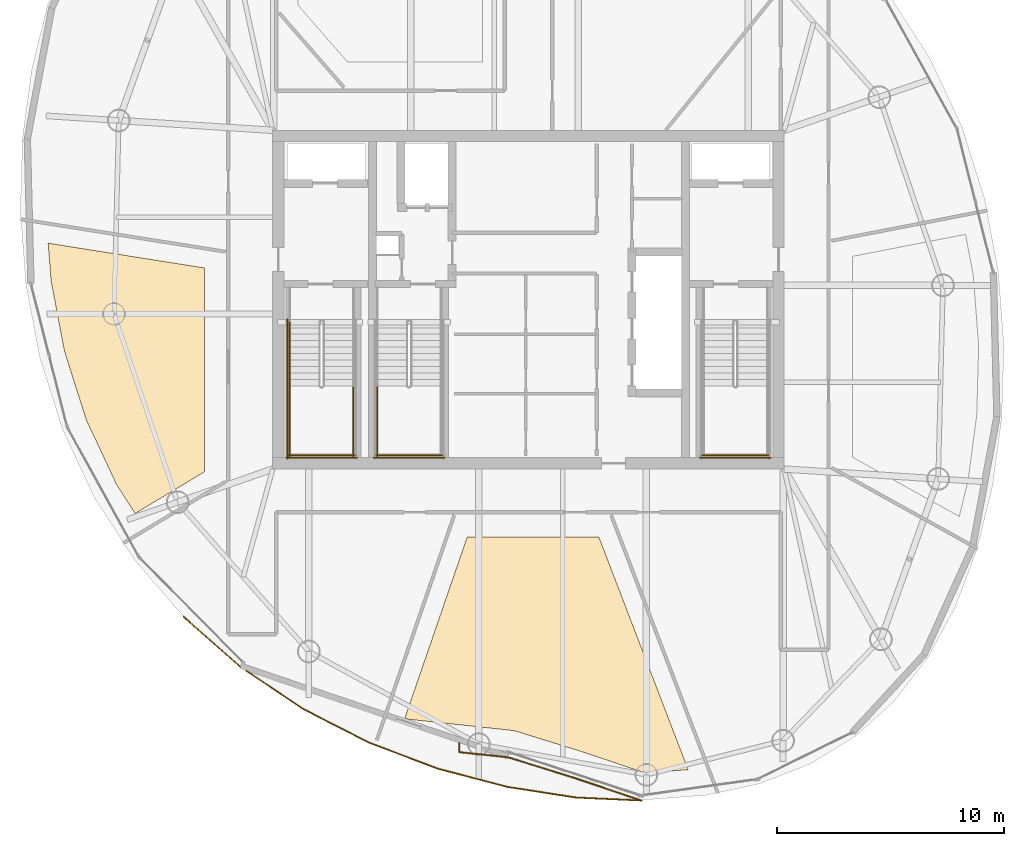
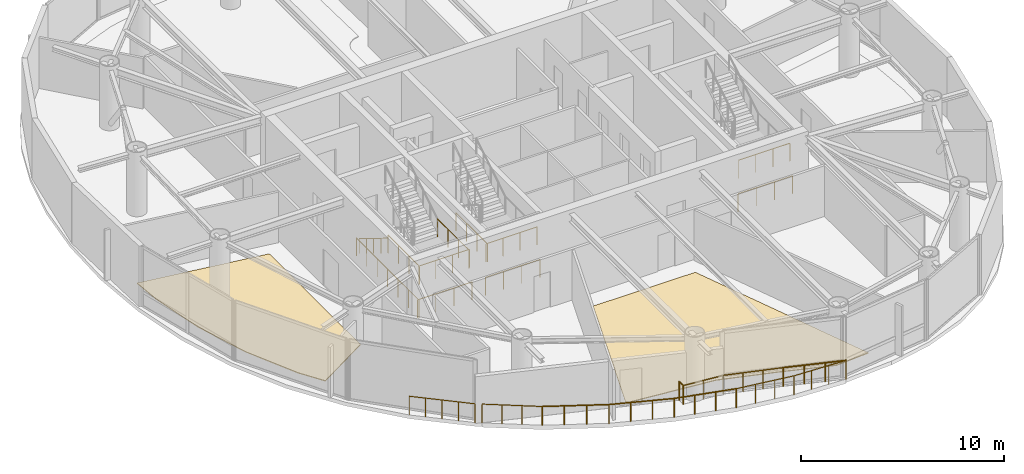
# One storey, part 18 of 20: 22 railings, 2 coverings.
"""IFC4 building model written with IfcOpenShell, lengths in metres."""

from ifc_helpers import new_model, si_unit, direction, frame, origin, origin_2d, place, context, subcontext, project, spatial, polyline, circle, outline, extrude, material, layer, layer_set, type_object, element, save


model = new_model("IFC4")

# Units and contexts
model_context = context("Model", 3, precision=1e-05, world=origin(), true_north=direction((0.0, 1.0)))
body_context = subcontext(model_context, "Body", "Model", "MODEL_VIEW")
ifc_project = project(units=[si_unit("LENGTHUNIT", "METRE"), si_unit("AREAUNIT", "SQUARE_METRE"), si_unit("VOLUMEUNIT", "CUBIC_METRE"), si_unit("PLANEANGLEUNIT", "RADIAN"), si_unit("MASSUNIT", "GRAM", prefix="KILO")], contexts=[model_context])

# Site, building, storey
site_placement = place(None, origin())
site = spatial("IfcSite", under=ifc_project, at=site_placement, CompositionType="ELEMENT")
building_placement = place(site_placement, origin())
building = spatial("IfcBuilding", under=site, at=building_placement, Name="Bramvorn Convention Spire", CompositionType="ELEMENT")
storey_placement = place(building_placement, frame((0.0, 0.0, 245.89990234375)))
storey = spatial("IfcBuildingStorey", under=building, at=storey_placement, Name="L62", CompositionType="ELEMENT", Elevation=245.89990234375)

# Coverings
ifc_material_1 = material(Name="Calcium-Sulphate Raised Access Office Floor", Category="steel")
ifc_layer = layer(ifc_material_1, 0.044921875)
ifc_layer_set = layer_set([ifc_layer], Name="Calcium-Sulphate Raised Access Office Floor - FLR-RAISED-45")
covering_type = type_object("IfcCoveringType", Name="FLR-RAISED-45", PredefinedType="FLOORING", material=ifc_layer_set)
covering_1_placement = place(storey_placement, origin())
element("IfcCovering", 1, at=covering_1_placement, inside=storey, type_object=covering_type, Name="L62 Open-Plan Team Office 6 raised floor finish", PredefinedType="FLOORING", context=body_context, shape_type="SweptSolid", body=[
    extrude(outline(polyline([(19.87890625, 17.862060546875), (20.6962890625, 16.594482421875), (23.75, 18.429443359375), (23.75, 27.396484375), (16.869140625, 28.486083984375), (16.995849609375, 26.83984375), (17.58544921875, 23.737060546875), (18.5439453125, 20.72119140625), (19.87890625, 17.862060546875)])), origin(), (0.0, 0.0, 1.0), 0.045166015625),
])
covering_2_placement = place(storey_placement, origin())
element("IfcCovering", 2, at=covering_2_placement, inside=storey, type_object=covering_type, Name="L62 Records Store 8 raised floor finish", PredefinedType="FLOORING", context=body_context, shape_type="SweptSolid", body=[
    extrude(outline(polyline([(41.100830078125, 15.550048828125), (35.30078125, 15.550048828125), (32.549560546875, 7.56005859375), (37.3798828125, 7.037109375), (40.35009765625, 6.115478515625), (43.127685546875, 5.179931640625), (45.02734375, 5.321044921875), (41.100830078125, 15.550048828125)])), origin(), (0.0, 0.0, 1.0), 0.045166015625),
])

# Railings
ifc_material_2 = material(Name="Painted Steel Balustrade & Guardrail", Category="steel")
railing_type_1 = type_object("IfcRailingType", Name="RL-STAIR-GUARD-1100", PredefinedType="GUARDRAIL", material=ifc_material_2)
for number, where, name in (
    (3, (27.5, 22.199951171875, 1.925048828125), "L62 ST1 stair guard 3"),
    (4, (30.300048828125, 22.199951171875, 1.925048828125), "L62 ST1 stair guard 4"),
):
    element("IfcRailing", number, at=place(storey_placement, frame(where)), inside=storey, type_object=railing_type_1, Name=name, PredefinedType="GUARDRAIL", context=body_context, shape_type="SweptSolid", body=[
        extrude(circle(Radius=0.02392578125, at=origin_2d()), frame((0.0, 0.0, 1.076171875), z_axis=(0.0, -1.0, 0.0), x_axis=(1.0, 0.0, 0.0)), (0.0, 0.0, 1.0), 3.099853515625),
        extrude(circle(Radius=0.02099609375, at=origin_2d()), origin(), (0.0, 0.0, 1.0), 1.052001953125),
        extrude(circle(Radius=0.02099609375, at=origin_2d()), frame((0.0, -1.033203125, 0.0)), (0.0, 0.0, 1.0), 1.052001953125),
        extrude(circle(Radius=0.02099609375, at=origin_2d()), frame((0.0, -2.066650390625, 0.0)), (0.0, 0.0, 1.0), 1.052001953125),
        extrude(circle(Radius=0.02099609375, at=origin_2d()), frame((0.0, -3.099853515625, 0.0)), (0.0, 0.0, 1.0), 1.052001953125),
    ])
railing_1_placement = place(storey_placement, frame((27.449951171875, 19.14990234375, 1.925048828125)))
element("IfcRailing", 5, at=railing_1_placement, inside=storey, type_object=railing_type_1, Name="L62 ST1 stair guard 5", PredefinedType="GUARDRAIL", context=body_context, shape_type="SweptSolid", body=[
    extrude(circle(Radius=0.02392578125, at=origin_2d()), frame((0.0, 0.0, 1.076171875), z_axis=(1.0, 0.0, 0.0), x_axis=(0.0, 1.0, 0.0)), (0.0, 0.0, 1.0), 2.900146484375),
    extrude(circle(Radius=0.02099609375, at=origin_2d()), origin(), (0.0, 0.0, 1.0), 1.052001953125),
    extrude(circle(Radius=0.02099609375, at=origin_2d()), frame((0.966796875, 0.0, 0.0)), (0.0, 0.0, 1.0), 1.052001953125),
    extrude(circle(Radius=0.02099609375, at=origin_2d()), frame((1.933349609375, 0.0, 0.0)), (0.0, 0.0, 1.0), 1.052001953125),
    extrude(circle(Radius=0.02099609375, at=origin_2d()), frame((2.900146484375, 0.0, 0.0)), (0.0, 0.0, 1.0), 1.052001953125),
])
railing_2_placement = place(storey_placement, frame((27.39990234375, 25.14990234375, 0.0)))
element("IfcRailing", 6, at=railing_2_placement, inside=storey, type_object=railing_type_1, Name="L62 ST1 stair guard 10", PredefinedType="GUARDRAIL", context=body_context, shape_type="SweptSolid", body=[
    extrude(circle(Radius=0.02392578125, at=origin_2d()), frame((0.0, 0.0, 1.076171875), z_axis=(0.0, -1.0, 0.0), x_axis=(1.0, 0.0, 0.0)), (0.0, 0.0, 1.0), 6.14990234375),
    extrude(circle(Radius=0.02099609375, at=origin_2d()), origin(), (0.0, 0.0, 1.0), 1.052001953125),
    extrude(circle(Radius=0.02099609375, at=origin_2d()), frame((0.0, -1.02490234375, 0.0)), (0.0, 0.0, 1.0), 1.052001953125),
    extrude(circle(Radius=0.02099609375, at=origin_2d()), frame((0.0, -2.050048828125, 0.0)), (0.0, 0.0, 1.0), 1.052001953125),
    extrude(circle(Radius=0.02099609375, at=origin_2d()), frame((0.0, -3.074951171875, 0.0)), (0.0, 0.0, 1.0), 1.052001953125),
    extrude(circle(Radius=0.02099609375, at=origin_2d()), frame((0.0, -4.099853515625, 0.0)), (0.0, 0.0, 1.0), 1.052001953125),
    extrude(circle(Radius=0.02099609375, at=origin_2d()), frame((0.0, -5.125, 0.0)), (0.0, 0.0, 1.0), 1.052001953125),
    extrude(circle(Radius=0.02099609375, at=origin_2d()), frame((0.0, -6.14990234375, 0.0)), (0.0, 0.0, 1.0), 1.052001953125),
])
railing_3_placement = place(storey_placement, frame((27.35009765625, 19.050048828125, 0.0)))
element("IfcRailing", 7, at=railing_3_placement, inside=storey, type_object=railing_type_1, Name="L62 ST1 stair guard 12", PredefinedType="GUARDRAIL", context=body_context, shape_type="SweptSolid", body=[
    extrude(circle(Radius=0.02392578125, at=origin_2d()), frame((0.0, 0.0, 1.076171875), z_axis=(1.0, 0.0, 0.0), x_axis=(0.0, 1.0, 0.0)), (0.0, 0.0, 1.0), 3.099853515625),
    extrude(circle(Radius=0.02099609375, at=origin_2d()), origin(), (0.0, 0.0, 1.0), 1.052001953125),
    extrude(circle(Radius=0.02099609375, at=origin_2d()), frame((1.033203125, 0.0, 0.0)), (0.0, 0.0, 1.0), 1.052001953125),
    extrude(circle(Radius=0.02099609375, at=origin_2d()), frame((2.066650390625, 0.0, 0.0)), (0.0, 0.0, 1.0), 1.052001953125),
    extrude(circle(Radius=0.02099609375, at=origin_2d()), frame((3.099853515625, 0.0, 0.0)), (0.0, 0.0, 1.0), 1.052001953125),
])
railing_4_placement = place(storey_placement, frame((45.64990234375, 19.14990234375, 1.925048828125)))
element("IfcRailing", 8, at=railing_4_placement, inside=storey, type_object=railing_type_1, Name="L62 ST2 stair guard 5", PredefinedType="GUARDRAIL", context=body_context, shape_type="SweptSolid", body=[
    extrude(circle(Radius=0.02392578125, at=origin_2d()), frame((0.0, 0.0, 1.076171875), z_axis=(1.0, 0.0, 0.0), x_axis=(0.0, 1.0, 0.0)), (0.0, 0.0, 1.0), 2.900146484375),
    extrude(circle(Radius=0.02099609375, at=origin_2d()), origin(), (0.0, 0.0, 1.0), 1.052001953125),
    extrude(circle(Radius=0.02099609375, at=origin_2d()), frame((0.966796875, 0.0, 0.0)), (0.0, 0.0, 1.0), 1.052001953125),
    extrude(circle(Radius=0.02099609375, at=origin_2d()), frame((1.933349609375, 0.0, 0.0)), (0.0, 0.0, 1.0), 1.052001953125),
    extrude(circle(Radius=0.02099609375, at=origin_2d()), frame((2.900146484375, 0.0, 0.0)), (0.0, 0.0, 1.0), 1.052001953125),
])
railing_5_placement = place(storey_placement, frame((45.550048828125, 19.050048828125, 0.0)))
element("IfcRailing", 9, at=railing_5_placement, inside=storey, type_object=railing_type_1, Name="L62 ST2 stair guard 12", PredefinedType="GUARDRAIL", context=body_context, shape_type="SweptSolid", body=[
    extrude(circle(Radius=0.02392578125, at=origin_2d()), frame((0.0, 0.0, 1.076171875), z_axis=(1.0, 0.0, 0.0), x_axis=(0.0, 1.0, 0.0)), (0.0, 0.0, 1.0), 3.099853515625),
    extrude(circle(Radius=0.02099609375, at=origin_2d()), origin(), (0.0, 0.0, 1.0), 1.052001953125),
    extrude(circle(Radius=0.02099609375, at=origin_2d()), frame((1.033203125, 0.0, 0.0)), (0.0, 0.0, 1.0), 1.052001953125),
    extrude(circle(Radius=0.02099609375, at=origin_2d()), frame((2.066650390625, 0.0, 0.0)), (0.0, 0.0, 1.0), 1.052001953125),
    extrude(circle(Radius=0.02099609375, at=origin_2d()), frame((3.099853515625, 0.0, 0.0)), (0.0, 0.0, 1.0), 1.052001953125),
])
railing_6_placement = place(storey_placement, frame((31.35009765625, 22.199951171875, 1.925048828125)))
element("IfcRailing", 10, at=railing_6_placement, inside=storey, type_object=railing_type_1, Name="L62 ST3 stair guard 3", PredefinedType="GUARDRAIL", context=body_context, shape_type="SweptSolid", body=[
    extrude(circle(Radius=0.02392578125, at=origin_2d()), frame((0.0, 0.0, 1.076171875), z_axis=(0.0, -1.0, 0.0), x_axis=(1.0, 0.0, 0.0)), (0.0, 0.0, 1.0), 3.099853515625),
    extrude(circle(Radius=0.02099609375, at=origin_2d()), origin(), (0.0, 0.0, 1.0), 1.052001953125),
    extrude(circle(Radius=0.02099609375, at=origin_2d()), frame((0.0, -1.033203125, 0.0)), (0.0, 0.0, 1.0), 1.052001953125),
    extrude(circle(Radius=0.02099609375, at=origin_2d()), frame((0.0, -2.066650390625, 0.0)), (0.0, 0.0, 1.0), 1.052001953125),
    extrude(circle(Radius=0.02099609375, at=origin_2d()), frame((0.0, -3.099853515625, 0.0)), (0.0, 0.0, 1.0), 1.052001953125),
])
railing_7_placement = place(storey_placement, frame((31.300048828125, 19.14990234375, 1.925048828125)))
element("IfcRailing", 11, at=railing_7_placement, inside=storey, type_object=railing_type_1, Name="L62 ST3 stair guard 5", PredefinedType="GUARDRAIL", context=body_context, shape_type="SweptSolid", body=[
    extrude(circle(Radius=0.02392578125, at=origin_2d()), frame((0.0, 0.0, 1.076171875), z_axis=(1.0, 0.0, 0.0), x_axis=(0.0, 1.0, 0.0)), (0.0, 0.0, 1.0), 2.89990234375),
    extrude(circle(Radius=0.02099609375, at=origin_2d()), origin(), (0.0, 0.0, 1.0), 1.052001953125),
    extrude(circle(Radius=0.02099609375, at=origin_2d()), frame((0.966552734375, 0.0, 0.0)), (0.0, 0.0, 1.0), 1.052001953125),
    extrude(circle(Radius=0.02099609375, at=origin_2d()), frame((1.933349609375, 0.0, 0.0)), (0.0, 0.0, 1.0), 1.052001953125),
    extrude(circle(Radius=0.02099609375, at=origin_2d()), frame((2.89990234375, 0.0, 0.0)), (0.0, 0.0, 1.0), 1.052001953125),
])
railing_8_placement = place(storey_placement, frame((31.199951171875, 19.050048828125, 0.0)))
element("IfcRailing", 12, at=railing_8_placement, inside=storey, type_object=railing_type_1, Name="L62 ST3 stair guard 12", PredefinedType="GUARDRAIL", context=body_context, shape_type="SweptSolid", body=[
    extrude(circle(Radius=0.02392578125, at=origin_2d()), frame((0.0, 0.0, 1.076171875), z_axis=(1.0, 0.0, 0.0), x_axis=(0.0, 1.0, 0.0)), (0.0, 0.0, 1.0), 3.10009765625),
    extrude(circle(Radius=0.02099609375, at=origin_2d()), origin(), (0.0, 0.0, 1.0), 1.052001953125),
    extrude(circle(Radius=0.02099609375, at=origin_2d()), frame((1.033447265625, 0.0, 0.0)), (0.0, 0.0, 1.0), 1.052001953125),
    extrude(circle(Radius=0.02099609375, at=origin_2d()), frame((2.066650390625, 0.0, 0.0)), (0.0, 0.0, 1.0), 1.052001953125),
    extrude(circle(Radius=0.02099609375, at=origin_2d()), frame((3.10009765625, 0.0, 0.0)), (0.0, 0.0, 1.0), 1.052001953125),
])
ifc_material_3 = material(Name="Brushed Bronze Tubular Handrail", Category="aluminium")
railing_type_2 = type_object("IfcRailingType", Name="RL-STAIR-HR-920", PredefinedType="HANDRAIL", material=ifc_material_3)
railing_9_placement = place(storey_placement, frame((27.5, 25.050048828125, 0.175048828125)))
element("IfcRailing", 13, at=railing_9_placement, inside=storey, type_object=railing_type_2, Name="L62 ST1 stair handrail 1", PredefinedType="HANDRAIL", context=body_context, shape_type="SweptSolid", body=[
    extrude(circle(Radius=0.02392578125, at=origin_2d()), frame((0.0, 0.0, 0.89599609375), z_axis=(0.0, -0.852179220489, 0.52325001306), x_axis=(1.0, 0.0, 0.0)), (0.0, 0.0, 1.0), 3.344482421875),
    extrude(circle(Radius=0.02099609375, at=origin_2d()), origin(), (0.0, 0.0, 1.0), 0.871826171875),
    extrude(circle(Radius=0.02099609375, at=origin_2d()), frame((0.0, -0.71240234375, 0.4375)), (0.0, 0.0, 1.0), 0.871826171875),
    extrude(circle(Radius=0.02099609375, at=origin_2d()), frame((0.0, -1.425048828125, 0.875)), (0.0, 0.0, 1.0), 0.871826171875),
    extrude(circle(Radius=0.02099609375, at=origin_2d()), frame((0.0, -2.1376953125, 1.3125)), (0.0, 0.0, 1.0), 0.871826171875),
    extrude(circle(Radius=0.02099609375, at=origin_2d()), frame((0.0, -2.85009765625, 1.75)), (0.0, 0.0, 1.0), 0.871826171875),
])
ifc_material_4 = material(Name="Bronze Cap-Rail & Laminated Structural Glass Balustrade", Category="glass")
railing_type_3 = type_object("IfcRailingType", Name="RL-TERR-GUARD-1150", PredefinedType="GUARDRAIL", material=ifc_material_4)
railing_10_placement = place(storey_placement, frame((37.083984375, 4.56005859375, 0.0)))
element("IfcRailing", 14, at=railing_10_placement, inside=storey, type_object=railing_type_3, Name="L62 Sky Garden perimeter safety guardrail 1", PredefinedType="GUARDRAIL", context=body_context, shape_type="SweptSolid", body=[
    extrude(circle(Radius=0.02392578125, at=origin_2d()), frame((0.0, 0.0, 1.1259765625), z_axis=(0.988291806897, -0.152575569539, 0.0), x_axis=(0.152575569539, 0.988291806897, 0.0)), (0.0, 0.0, 1.0), 3.04345703125),
    extrude(circle(Radius=0.02099609375, at=origin_2d()), origin(), (0.0, 0.0, 1.0), 1.101806640625),
    extrude(circle(Radius=0.02099609375, at=origin_2d()), frame((1.002685546875, -0.15478515625, 0.0)), (0.0, 0.0, 1.0), 1.101806640625),
    extrude(circle(Radius=0.02099609375, at=origin_2d()), frame((2.005126953125, -0.3095703125, 0.0)), (0.0, 0.0, 1.0), 1.101806640625),
    extrude(circle(Radius=0.02099609375, at=origin_2d()), frame((3.0078125, -0.46435546875, 0.0)), (0.0, 0.0, 1.0), 1.101806640625),
])
railing_11_placement = place(storey_placement, frame((40.091796875, 4.095703125, 0.0)))
element("IfcRailing", 15, at=railing_11_placement, inside=storey, type_object=railing_type_3, Name="L62 Sky Garden perimeter safety guardrail 2", PredefinedType="GUARDRAIL", context=body_context, shape_type="SweptSolid", body=[
    extrude(circle(Radius=0.02392578125, at=origin_2d()), frame((0.0, 0.0, 1.1259765625), z_axis=(0.998975158142, -0.045261831776, 0.0), x_axis=(0.045261831776, 0.998975158142, 0.0)), (0.0, 0.0, 1.0), 2.8857421875),
    extrude(circle(Radius=0.02099609375, at=origin_2d()), origin(), (0.0, 0.0, 1.0), 1.101806640625),
    extrude(circle(Radius=0.02099609375, at=origin_2d()), frame((0.9609375, -0.04345703125, 0.0)), (0.0, 0.0, 1.0), 1.101806640625),
    extrude(circle(Radius=0.02099609375, at=origin_2d()), frame((1.921875, -0.087158203125, 0.0)), (0.0, 0.0, 1.0), 1.101806640625),
    extrude(circle(Radius=0.02099609375, at=origin_2d()), frame((2.8828125, -0.130615234375, 0.0)), (0.0, 0.0, 1.0), 1.101806640625),
])
railing_12_placement = place(storey_placement, frame((42.974609375, 3.965087890625, 0.0)))
element("IfcRailing", 16, at=railing_12_placement, inside=storey, type_object=railing_type_3, Name="L62 Sky Garden perimeter safety guardrail 3", PredefinedType="GUARDRAIL", context=body_context, shape_type="SweptSolid", body=[
    extrude(circle(Radius=0.02392578125, at=origin_2d()), frame((0.0, 0.0, 1.1259765625), z_axis=(-0.947665005089, 0.319266406204, 0.0), x_axis=(-0.319266406204, -0.947665005089, 0.0)), (0.0, 0.0, 1.0), 3.156005859375),
    extrude(circle(Radius=0.02099609375, at=origin_2d()), origin(), (0.0, 0.0, 1.0), 1.101806640625),
    extrude(circle(Radius=0.02099609375, at=origin_2d()), frame((-0.996826171875, 0.3359375, 0.0)), (0.0, 0.0, 1.0), 1.101806640625),
    extrude(circle(Radius=0.02099609375, at=origin_2d()), frame((-1.993896484375, 0.671630859375, 0.0)), (0.0, 0.0, 1.0), 1.101806640625),
    extrude(circle(Radius=0.02099609375, at=origin_2d()), frame((-2.99072265625, 1.007568359375, 0.0)), (0.0, 0.0, 1.0), 1.101806640625),
])
railing_13_placement = place(storey_placement, frame((39.98388671875, 4.97265625, 0.0)))
element("IfcRailing", 17, at=railing_13_placement, inside=storey, type_object=railing_type_3, Name="L62 Sky Garden perimeter safety guardrail 4", PredefinedType="GUARDRAIL", context=body_context, shape_type="SweptSolid", body=[
    extrude(circle(Radius=0.02392578125, at=origin_2d()), frame((0.0, 0.0, 1.1259765625), z_axis=(-0.954821155957, 0.297181022505, 0.0), x_axis=(-0.297181022505, -0.954821155957, 0.0)), (0.0, 0.0, 1.0), 3.02490234375),
    extrude(circle(Radius=0.02099609375, at=origin_2d()), origin(), (0.0, 0.0, 1.0), 1.101806640625),
    extrude(circle(Radius=0.02099609375, at=origin_2d()), frame((-0.962646484375, 0.299560546875, 0.0)), (0.0, 0.0, 1.0), 1.101806640625),
    extrude(circle(Radius=0.02099609375, at=origin_2d()), frame((-1.925537109375, 0.599365234375, 0.0)), (0.0, 0.0, 1.0), 1.101806640625),
    extrude(circle(Radius=0.02099609375, at=origin_2d()), frame((-2.88818359375, 0.89892578125, 0.0)), (0.0, 0.0, 1.0), 1.101806640625),
])
railing_14_placement = place(storey_placement, frame((37.095703125, 5.87158203125, 0.0)))
element("IfcRailing", 18, at=railing_14_placement, inside=storey, type_object=railing_type_3, Name="L62 Sky Garden perimeter safety guardrail 5", PredefinedType="GUARDRAIL", context=body_context, shape_type="SweptSolid", body=[
    extrude(circle(Radius=0.02392578125, at=origin_2d()), frame((0.0, 0.0, 1.1259765625), z_axis=(-0.99463257315, 0.103470017051, 0.0), x_axis=(-0.103470017051, -0.99463257315, 0.0)), (0.0, 0.0, 1.0), 2.144775390625),
    extrude(circle(Radius=0.02099609375, at=origin_2d()), origin(), (0.0, 0.0, 1.0), 1.101806640625),
    extrude(circle(Radius=0.02099609375, at=origin_2d()), frame((-1.066650390625, 0.11083984375, 0.0)), (0.0, 0.0, 1.0), 1.101806640625),
    extrude(circle(Radius=0.02099609375, at=origin_2d()), frame((-2.13330078125, 0.221923828125, 0.0)), (0.0, 0.0, 1.0), 1.101806640625),
])
railing_15_placement = place(storey_placement, frame((34.96240234375, 6.093505859375, 0.0)))
element("IfcRailing", 19, at=railing_15_placement, inside=storey, type_object=railing_type_3, Name="L62 Sky Garden perimeter safety guardrail 6", PredefinedType="GUARDRAIL", context=body_context, shape_type="SweptSolid", body=[
    extrude(circle(Radius=0.02392578125, at=origin_2d()), frame((0.0, 0.0, 1.1259765625), z_axis=(-0.016814439378, 0.999858627321, 0.0), x_axis=(-0.999858627321, -0.016814439378, 0.0)), (0.0, 0.0, 1.0), 0.406494140625),
    extrude(circle(Radius=0.02099609375, at=origin_2d()), origin(), (0.0, 0.0, 1.0), 1.101806640625),
    extrude(circle(Radius=0.02099609375, at=origin_2d()), frame((-0.0068359375, 0.406494140625, 0.0)), (0.0, 0.0, 1.0), 1.101806640625),
])
railing_16_placement = place(storey_placement, frame((25.5927734375, 9.668212890625, 0.0)))
element("IfcRailing", 20, at=railing_16_placement, inside=storey, type_object=railing_type_3, Name="L62 Sky Garden perimeter safety guardrail 7", PredefinedType="GUARDRAIL", context=body_context, shape_type="SweptSolid", body=[
    extrude(circle(Radius=0.02392578125, at=origin_2d()), frame((0.0, 0.0, 1.1259765625), z_axis=(0.829341110913, -0.558742625678, 0.0), x_axis=(0.558742625678, 0.829341110913, 0.0)), (0.0, 0.0, 1.0), 2.9638671875),
    extrude(circle(Radius=0.02099609375, at=origin_2d()), origin(), (0.0, 0.0, 1.0), 1.101806640625),
    extrude(circle(Radius=0.02099609375, at=origin_2d()), frame((0.8193359375, -0.552001953125, 0.0)), (0.0, 0.0, 1.0), 1.101806640625),
    extrude(circle(Radius=0.02099609375, at=origin_2d()), frame((1.638671875, -1.10400390625, 0.0)), (0.0, 0.0, 1.0), 1.101806640625),
    extrude(circle(Radius=0.02099609375, at=origin_2d()), frame((2.4580078125, -1.656005859375, 0.0)), (0.0, 0.0, 1.0), 1.101806640625),
])
railing_17_placement = place(storey_placement, frame((28.05078125, 8.01220703125, 0.0)))
element("IfcRailing", 21, at=railing_17_placement, inside=storey, type_object=railing_type_3, Name="L62 Sky Garden perimeter safety guardrail 8", PredefinedType="GUARDRAIL", context=body_context, shape_type="SweptSolid", body=[
    extrude(circle(Radius=0.02392578125, at=origin_2d()), frame((0.0, 0.0, 1.1259765625), z_axis=(0.890296407538, -0.455381495809, 0.0), x_axis=(0.455381495809, 0.890296407538, 0.0)), (0.0, 0.0, 1.0), 3.292236328125),
    extrude(circle(Radius=0.02099609375, at=origin_2d()), origin(), (0.0, 0.0, 1.0), 1.101806640625),
    extrude(circle(Radius=0.02099609375, at=origin_2d()), frame((0.97705078125, -0.499755859375, 0.0)), (0.0, 0.0, 1.0), 1.101806640625),
    extrude(circle(Radius=0.02099609375, at=origin_2d()), frame((1.9541015625, -0.99951171875, 0.0)), (0.0, 0.0, 1.0), 1.101806640625),
    extrude(circle(Radius=0.02099609375, at=origin_2d()), frame((2.93115234375, -1.499267578125, 0.0)), (0.0, 0.0, 1.0), 1.101806640625),
])
railing_18_placement = place(storey_placement, frame((30.98193359375, 6.512939453125, 0.0)))
element("IfcRailing", 22, at=railing_18_placement, inside=storey, type_object=railing_type_3, Name="L62 Sky Garden perimeter safety guardrail 9", PredefinedType="GUARDRAIL", context=body_context, shape_type="SweptSolid", body=[
    extrude(circle(Radius=0.02392578125, at=origin_2d()), frame((0.0, 0.0, 1.1259765625), z_axis=(0.935337333015, -0.35375708257, 0.0), x_axis=(0.35375708257, 0.935337333015, 0.0)), (0.0, 0.0, 1.0), 3.249267578125),
    extrude(circle(Radius=0.02099609375, at=origin_2d()), origin(), (0.0, 0.0, 1.0), 1.101806640625),
    extrude(circle(Radius=0.02099609375, at=origin_2d()), frame((1.012939453125, -0.383056640625, 0.0)), (0.0, 0.0, 1.0), 1.101806640625),
    extrude(circle(Radius=0.02099609375, at=origin_2d()), frame((2.026123046875, -0.766357421875, 0.0)), (0.0, 0.0, 1.0), 1.101806640625),
    extrude(circle(Radius=0.02099609375, at=origin_2d()), frame((3.0390625, -1.1494140625, 0.0)), (0.0, 0.0, 1.0), 1.101806640625),
])
railing_19_placement = place(storey_placement, frame((34.02099609375, 5.363525390625, 0.0)))
element("IfcRailing", 23, at=railing_19_placement, inside=storey, type_object=railing_type_3, Name="L62 Sky Garden perimeter safety guardrail 10", PredefinedType="GUARDRAIL", context=body_context, shape_type="SweptSolid", body=[
    extrude(circle(Radius=0.02392578125, at=origin_2d()), frame((0.0, 0.0, 1.1259765625), z_axis=(0.967274971579, -0.253730426548, 0.0), x_axis=(0.253730426548, 0.967274971579, 0.0)), (0.0, 0.0, 1.0), 3.16650390625),
    extrude(circle(Radius=0.02099609375, at=origin_2d()), origin(), (0.0, 0.0, 1.0), 1.101806640625),
    extrude(circle(Radius=0.02099609375, at=origin_2d()), frame((1.02099609375, -0.267822265625, 0.0)), (0.0, 0.0, 1.0), 1.101806640625),
    extrude(circle(Radius=0.02099609375, at=origin_2d()), frame((2.0419921875, -0.53564453125, 0.0)), (0.0, 0.0, 1.0), 1.101806640625),
    extrude(circle(Radius=0.02099609375, at=origin_2d()), frame((3.06298828125, -0.803466796875, 0.0)), (0.0, 0.0, 1.0), 1.101806640625),
])
railing_20_placement = place(storey_placement, frame((25.30908203125, 9.859375, 0.0)))
element("IfcRailing", 24, at=railing_20_placement, inside=storey, type_object=railing_type_3, Name="L62 Sky Garden junction edge safety guardrail 11", PredefinedType="GUARDRAIL", context=body_context, shape_type="SweptSolid", body=[
    extrude(circle(Radius=0.02392578125, at=origin_2d()), frame((0.0, 0.0, 1.1259765625), z_axis=(-0.75023677344, 0.661169255016, 0.0), x_axis=(-0.661169255016, -0.75023677344, 0.0)), (0.0, 0.0, 1.0), 3.302978515625),
    extrude(circle(Radius=0.02099609375, at=origin_2d()), origin(), (0.0, 0.0, 1.0), 1.101806640625),
    extrude(circle(Radius=0.02099609375, at=origin_2d()), frame((-0.61962890625, 0.5458984375, 0.0)), (0.0, 0.0, 1.0), 1.101806640625),
    extrude(circle(Radius=0.02099609375, at=origin_2d()), frame((-1.239013671875, 1.091796875, 0.0)), (0.0, 0.0, 1.0), 1.101806640625),
    extrude(circle(Radius=0.02099609375, at=origin_2d()), frame((-1.8583984375, 1.637939453125, 0.0)), (0.0, 0.0, 1.0), 1.101806640625),
    extrude(circle(Radius=0.02099609375, at=origin_2d()), frame((-2.47802734375, 2.183837890625, 0.0)), (0.0, 0.0, 1.0), 1.101806640625),
])

save(model, "model.ifc")
